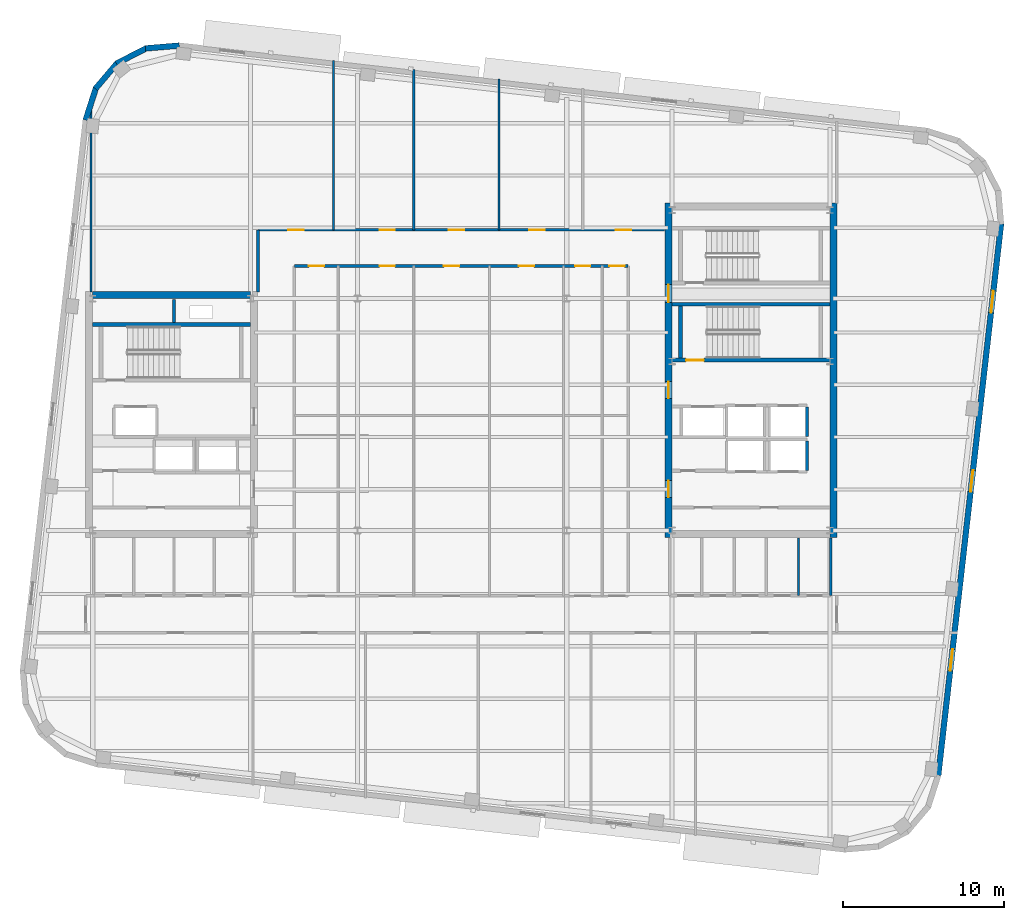
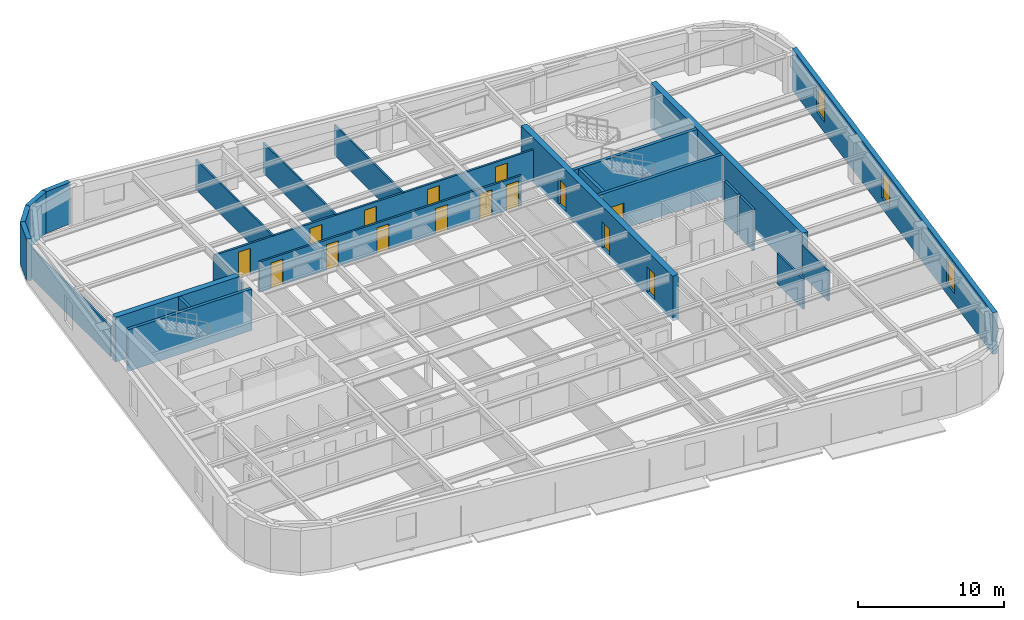
# One storey, part 8 of 13: 24 walls, 15 doors, 3 windows, 18 openings.
"""IFC4 building model written with IfcOpenShell, lengths in metres."""

import ifcopenshell
import ifcopenshell.guid

model = None  # the IFC model being written
_history = None  # IfcOwnerHistory: only IFC2X3 demands one
_inside = {}  # id of a spatial element -> (the spatial element, [elements in it])
_under = {}  # id of a project, library or spatial element -> (it, [spatial elements below it])
_declared = {}  # id of a project -> (the project, [libraries it declares])
_typed = {}  # id of a type object -> (the type object, [elements of that type])
_made_of = {}  # id of a material, layer set ... -> (it, [elements and type objects made of it])


def new_model(schema):
    """Start an empty IFC model of exactly this schema.

    Asked for "IFC4X3", IfcOpenShell would pick the latest addendum, in which some entities
    have other attributes; the version numbers below select the first issue.
    IFC2X3 requires an IfcOwnerHistory on every rooted entity: one is made here for all.
    """
    global model, _history
    if schema == "IFC4X3":
        model = ifcopenshell.file(schema_version=(4, 3, 0, 0))
    else:
        model = ifcopenshell.file(schema=schema)
    _inside.clear()
    _under.clear()
    _declared.clear()
    _typed.clear()
    _made_of.clear()
    _history = None
    if model.schema == "IFC2X3":
        org = make("IfcOrganization", Name="unknown")
        user = make(
            "IfcPersonAndOrganization",
            ThePerson=make("IfcPerson", FamilyName="unknown"),
            TheOrganization=org,
        )
        app = make(
            "IfcApplication",
            ApplicationDeveloper=org,
            Version="unknown",
            ApplicationFullName="unknown",
            ApplicationIdentifier="unknown",
        )
        _history = make(
            "IfcOwnerHistory",
            OwningUser=user,
            OwningApplication=app,
            ChangeAction="ADDED",
            CreationDate=0,
        )
    return model


def make(cls, **values):
    """One entity of the class cls with the attributes given. An attribute that is None is left unset."""
    return model.create_entity(
        cls, **{name: value for name, value in values.items() if value is not None}
    )


def rooted(cls, **values):
    """An entity with a GlobalId (a new one), such as an element, a storey or a relation."""
    return make(cls, GlobalId=ifcopenshell.guid.new(), OwnerHistory=_history, **values)


def si_unit(unit_type, name, prefix=None):
    """IfcSIUnit, for example si_unit("LENGTHUNIT", "METRE", prefix="MILLI")."""
    return make("IfcSIUnit", UnitType=unit_type, Prefix=prefix, Name=name)


def assignment(units):
    """IfcUnitAssignment: the units of a project."""
    return None if units is None else make("IfcUnitAssignment", Units=units)


def point(xyz):
    """IfcCartesianPoint."""
    return None if xyz is None else make("IfcCartesianPoint", Coordinates=xyz)


def direction(xyz):
    """IfcDirection."""
    return None if xyz is None else make("IfcDirection", DirectionRatios=xyz)


def frame(location, z_axis=None, x_axis=None):
    """IfcAxis2Placement3D, a coordinate frame: its origin and axes. An axis left out is left unset."""
    return make(
        "IfcAxis2Placement3D",
        Location=point(location),
        Axis=direction(z_axis),
        RefDirection=direction(x_axis),
    )


def frame_2d(location, x_axis=None):
    """IfcAxis2Placement2D, a coordinate frame in the plane: its origin and x axis."""
    return make(
        "IfcAxis2Placement2D", Location=point(location), RefDirection=direction(x_axis)
    )


def origin():
    """The frame at (0, 0, 0) with its axes left unset."""
    return frame((0.0, 0.0, 0.0))


def place(relative_to, where):
    """IfcLocalPlacement: puts the frame where relative to a parent placement (None: the world)."""
    return make(
        "IfcLocalPlacement", PlacementRelTo=relative_to, RelativePlacement=where
    )


def context(
    kind, dimensions, precision=None, world=None, true_north=None, identifier=None
):
    """IfcGeometricRepresentationContext, for example the 3D "Model" context."""
    return make(
        "IfcGeometricRepresentationContext",
        ContextIdentifier=identifier,
        ContextType=kind,
        CoordinateSpaceDimension=dimensions,
        Precision=precision,
        WorldCoordinateSystem=world,
        TrueNorth=true_north,
    )


def subcontext(parent, identifier, kind, view, scale=None):
    """IfcGeometricRepresentationSubContext, for example "Body" below "Model"."""
    return make(
        "IfcGeometricRepresentationSubContext",
        ContextIdentifier=identifier,
        ContextType=kind,
        ParentContext=parent,
        TargetScale=scale,
        TargetView=view,
    )


def project(units=None, contexts=None):
    """IfcProject with its units and contexts."""
    return rooted(
        "IfcProject",
        Name="project",
        RepresentationContexts=contexts,
        UnitsInContext=assignment(units),
    )


def spatial(cls, under=None, at=None, **own):
    """A site, building, storey or space (cls), placed at a placement, below another one or the project."""
    s = rooted(cls, ObjectPlacement=at, **own)
    if under is not None:
        _under.setdefault(under.id(), (under, []))[1].append(s)
    return s


def profile(cls, at=None, kind="AREA", **sizes):
    """A parametric profile (cls). Its sizes go by their IFC names, for example OverallWidth=200.0."""
    return make(cls, ProfileType=kind, Position=at, **sizes)


def rectangle(**sizes):
    """IfcRectangleProfileDef."""
    return profile("IfcRectangleProfileDef", **sizes)


def extrude(swept, where, along, depth):
    """IfcExtrudedAreaSolid: the profile swept, set in the frame where, extruded along a direction by depth."""
    return make(
        "IfcExtrudedAreaSolid",
        SweptArea=swept,
        Position=where,
        ExtrudedDirection=direction(along),
        Depth=depth,
    )


def shape(context_of_items, identifier, shape_type, items):
    """IfcShapeRepresentation: the items that make up one representation, for example the "Body"."""
    return make(
        "IfcShapeRepresentation",
        ContextOfItems=context_of_items,
        RepresentationIdentifier=identifier,
        RepresentationType=shape_type,
        Items=items,
    )


def material(Name=None, Category=None):
    """IfcMaterial."""
    return make("IfcMaterial", Name=Name, Category=Category)


def layer(
    of_material, thickness, ventilated=None, Name=None, Category=None, Priority=None
):
    """IfcMaterialLayer: one layer of a wall or slab, of a material (None: an air gap)."""
    return make(
        "IfcMaterialLayer",
        Material=of_material,
        LayerThickness=thickness,
        IsVentilated=ventilated,
        Name=Name,
        Category=Category,
        Priority=Priority,
    )


def layer_set(layers, Name=None):
    """IfcMaterialLayerSet."""
    return make("IfcMaterialLayerSet", MaterialLayers=layers, LayerSetName=Name)


def made_of(thing, what):
    """Note that an element or type object is made of a material, layer set ...; save() writes the relation."""
    if what is not None:
        _made_of.setdefault(what.id(), (what, []))[1].append(thing)
    return thing


def type_object(cls, material=None, **own):
    """A type object (cls), such as IfcWallType, which elements share."""
    return made_of(rooted(cls, **own), material)


def element(
    cls,
    number,
    at=None,
    inside=None,
    cuts=None,
    type_object=None,
    material=None,
    context=None,
    identifier="Body",
    shape_type=None,
    held_by="IfcProductDefinitionShape",
    body=None,
    shapes=None,
    **own,
):
    """One element of the class cls, such as IfcWall. Its Tag is "e" and its number.

    at: its placement. inside: the storey or other place that contains it. cuts: it is an
    opening in that element (IfcRelVoidsElement). A single representation is given by context,
    identifier, shape_type and body (its items); several are given by shapes. held_by: the class
    of the entity that holds the representations. save() writes the other relations.
    """
    e = rooted(cls, Tag="e%d" % number, ObjectPlacement=at, **own)
    if body is not None:
        shapes = [shape(context, identifier, shape_type, body)]
    if shapes is not None:
        e.Representation = make(held_by, Representations=shapes)
    if inside is not None:
        _inside.setdefault(inside.id(), (inside, []))[1].append(e)
    if cuts is not None:
        rooted(
            "IfcRelVoidsElement", RelatingBuildingElement=cuts, RelatedOpeningElement=e
        )
    if type_object is not None:
        _typed.setdefault(type_object.id(), (type_object, []))[1].append(e)
    return made_of(e, material)


def fill(opening, filler):
    """IfcRelFillsElement: the door or window that sits in an opening."""
    return rooted(
        "IfcRelFillsElement",
        RelatingOpeningElement=opening,
        RelatedBuildingElement=filler,
    )


def aggregate(whole, parts):
    """IfcRelAggregates: a whole, such as a stair, and the parts it consists of."""
    return rooted("IfcRelAggregates", RelatingObject=whole, RelatedObjects=parts)


def save(model, path):
    """Write the relations noted so far, then the file.

    IfcRelAggregates (storeys below a building ...), IfcRelContainedInSpatialStructure (elements
    in a storey), IfcRelDefinesByType, IfcRelAssociatesMaterial and IfcRelDeclares: one each for
    every whole, place, type object, material and project.
    """
    for whole, parts in _under.values():
        aggregate(whole, parts)
    for where, things in _inside.values():
        rooted(
            "IfcRelContainedInSpatialStructure",
            RelatedElements=things,
            RelatingStructure=where,
        )
    for kind, things in _typed.values():
        rooted("IfcRelDefinesByType", RelatedObjects=things, RelatingType=kind)
    for what, things in _made_of.values():
        rooted("IfcRelAssociatesMaterial", RelatedObjects=things, RelatingMaterial=what)
    for by, libraries in _declared.values():
        rooted("IfcRelDeclares", RelatingContext=by, RelatedDefinitions=libraries)
    model.write(path)


model = new_model("IFC4")

# Units and contexts
model_context = context("Model", 3, precision=1e-05, world=origin(), true_north=direction((0.0, 1.0)))
body_context = subcontext(model_context, "Body", "Model", "MODEL_VIEW")
ifc_project = project(units=[si_unit("LENGTHUNIT", "METRE"), si_unit("AREAUNIT", "SQUARE_METRE"), si_unit("VOLUMEUNIT", "CUBIC_METRE"), si_unit("PLANEANGLEUNIT", "RADIAN"), si_unit("MASSUNIT", "GRAM", prefix="KILO")], contexts=[model_context])

# Site, building, storey
site_placement = place(None, origin())
site = spatial("IfcSite", under=ifc_project, at=site_placement, CompositionType="ELEMENT")
building_placement = place(site_placement, origin())
building = spatial("IfcBuilding", under=site, at=building_placement, Name="Kolvaren Arena Tower", CompositionType="ELEMENT")
storey_placement = place(building_placement, frame((0.0, 0.0, 232.199951171875)))
storey = spatial("IfcBuildingStorey", under=building, at=storey_placement, Name="L56", CompositionType="ELEMENT", Elevation=232.199951171875)

# Wall
ifc_material_1 = material(Name="Gypsum board acoustic assembly", Category="gypsum")
ifc_layer_1 = layer(ifc_material_1, 0.159912109375)
ifc_layer_set_1 = layer_set([ifc_layer_1], Name="Gypsum board acoustic assembly")
wall_type_1 = type_object("IfcWallType", Name="CORR-160", PredefinedType="PARTITIONING", material=ifc_layer_set_1)
wall_1_placement = place(storey_placement, frame((24.820068359375, 34.25, 0.0), z_axis=(0.0, 0.0, 1.0), x_axis=(0.0, 1.0, 0.0)))
element("IfcWall", 1, at=wall_1_placement, inside=storey, type_object=wall_type_1, Name="Interior Partition Wall (L56)", PredefinedType="PARTITIONING", context=body_context, shape_type="SweptSolid", body=[
    extrude(rectangle(XDim=3.8701171875, YDim=0.159912109375, at=frame_2d((1.93505859375, 0.0))), origin(), (0.0, 0.0, 1.0), 2.5400390625),
])

# Wall, openings, doors
wall_2_placement = place(storey_placement, frame((24.820068359375, 38.1201171875, 0.0), z_axis=(0.0, 0.0, 1.0), x_axis=(1.0, 0.0, 0.0)))
wall_2 = element("IfcWall", 2, at=wall_2_placement, inside=storey, type_object=wall_type_1, Name="Interior Partition Wall (L56)", PredefinedType="PARTITIONING", context=body_context, shape_type="SweptSolid", body=[
    extrude(rectangle(XDim=25.260009765625, YDim=0.159912109375, at=frame_2d((12.6298828125, 0.0))), origin(), (0.0, 0.0, 1.0), 2.5400390625),
])
opening_1_placement = place(wall_2_placement, frame((1.8798828125, 0.0, 0.0)))
opening_1 = element("IfcOpeningElement", 3, at=opening_1_placement, cuts=wall_2, Name="Opening D05", PredefinedType="OPENING", context=body_context, shape_type="SweptSolid", body=[
    extrude(rectangle(XDim=0.949951171875, YDim=2.14990234375, at=frame_2d((0.47509765625, 1.074951171875))), frame((0.0, 0.08984375, 0.0), z_axis=(0.0, -1.0, 0.0), x_axis=(1.0, 0.0, 0.0)), (0.0, 0.0, 1.0), 0.179931640625),
])
opening_2_placement = place(wall_2_placement, frame((7.554931640625, 0.0, 0.0)))
opening_2 = element("IfcOpeningElement", 4, at=opening_2_placement, cuts=wall_2, Name="Opening D05", PredefinedType="OPENING", context=body_context, shape_type="SweptSolid", body=[
    extrude(rectangle(XDim=0.949951171875, YDim=2.14990234375, at=frame_2d((0.47509765625, 1.074951171875))), frame((0.0, 0.08984375, 0.0), z_axis=(0.0, -1.0, 0.0), x_axis=(1.0, 0.0, 0.0)), (0.0, 0.0, 1.0), 0.179931640625),
])
opening_3_placement = place(wall_2_placement, frame((11.85498046875, 0.0, 0.0)))
opening_3 = element("IfcOpeningElement", 5, at=opening_3_placement, cuts=wall_2, Name="Opening D05", PredefinedType="OPENING", context=body_context, shape_type="SweptSolid", body=[
    extrude(rectangle(XDim=0.949951171875, YDim=2.14990234375, at=frame_2d((0.47509765625, 1.074951171875))), frame((0.0, 0.08984375, 0.0), z_axis=(0.0, -1.0, 0.0), x_axis=(1.0, 0.0, 0.0)), (0.0, 0.0, 1.0), 0.179931640625),
])
opening_4_placement = place(wall_2_placement, frame((16.85498046875, 0.0, 0.0)))
opening_4 = element("IfcOpeningElement", 6, at=opening_4_placement, cuts=wall_2, Name="Opening D05", PredefinedType="OPENING", context=body_context, shape_type="SweptSolid", body=[
    extrude(rectangle(XDim=0.949951171875, YDim=2.14990234375, at=frame_2d((0.47509765625, 1.074951171875))), frame((0.0, 0.08984375, 0.0), z_axis=(0.0, -1.0, 0.0), x_axis=(1.0, 0.0, 0.0)), (0.0, 0.0, 1.0), 0.179931640625),
])
opening_5_placement = place(wall_2_placement, frame((22.22998046875, 0.0, 0.0)))
opening_5 = element("IfcOpeningElement", 7, at=opening_5_placement, cuts=wall_2, Name="Opening D05", PredefinedType="OPENING", context=body_context, shape_type="SweptSolid", body=[
    extrude(rectangle(XDim=0.949951171875, YDim=2.14990234375, at=frame_2d((0.47509765625, 1.074951171875))), frame((0.0, 0.08984375, 0.0), z_axis=(0.0, -1.0, 0.0), x_axis=(1.0, 0.0, 0.0)), (0.0, 0.0, 1.0), 0.179931640625),
])
ifc_material_2 = material(Name="Solid-core oak acoustic office door", Category="wood")
door_type_1 = type_object("IfcDoorType", Name="DOOR-OF-095", OperationType="NOTDEFINED", PredefinedType="DOOR", material=ifc_material_2)
door_1_placement = place(opening_1_placement, origin())
door_1 = element("IfcDoor", 8, at=door_1_placement, inside=storey, type_object=door_type_1, Name="Technical Engineering Office Door (L56)", OperationType="SINGLE_SWING_RIGHT", OverallHeight=2.14990234375, OverallWidth=0.949951171875, PredefinedType="DOOR", context=body_context, shape_type="SweptSolid", body=[
    extrude(rectangle(XDim=0.949951171875, YDim=2.14990234375, at=frame_2d((0.47509765625, 1.074951171875))), frame((0.0, 0.02490234375, 0.0), z_axis=(0.0, -1.0, 0.0), x_axis=(1.0, 0.0, 0.0)), (0.0, 0.0, 1.0), 0.050048828125),
])
fill(opening_1, door_1)
door_2_placement = place(opening_2_placement, origin())
door_2 = element("IfcDoor", 9, at=door_2_placement, inside=storey, type_object=door_type_1, Name="Open Plan Office Door (L56)", OperationType="SINGLE_SWING_LEFT", OverallHeight=2.14990234375, OverallWidth=0.949951171875, PredefinedType="DOOR", context=body_context, shape_type="SweptSolid", body=[
    extrude(rectangle(XDim=0.949951171875, YDim=2.14990234375, at=frame_2d((0.47509765625, 1.074951171875))), frame((0.0, 0.02490234375, 0.0), z_axis=(0.0, -1.0, 0.0), x_axis=(1.0, 0.0, 0.0)), (0.0, 0.0, 1.0), 0.050048828125),
])
fill(opening_2, door_2)
door_3_placement = place(opening_3_placement, origin())
door_3 = element("IfcDoor", 10, at=door_3_placement, inside=storey, type_object=door_type_1, Name="Training Seminar Room Door (L56)", OperationType="SINGLE_SWING_RIGHT", OverallHeight=2.14990234375, OverallWidth=0.949951171875, PredefinedType="DOOR", context=body_context, shape_type="SweptSolid", body=[
    extrude(rectangle(XDim=0.949951171875, YDim=2.14990234375, at=frame_2d((0.47509765625, 1.074951171875))), frame((0.0, 0.02490234375, 0.0), z_axis=(0.0, -1.0, 0.0), x_axis=(1.0, 0.0, 0.0)), (0.0, 0.0, 1.0), 0.050048828125),
])
fill(opening_3, door_3)
door_4_placement = place(opening_4_placement, origin())
door_4 = element("IfcDoor", 11, at=door_4_placement, inside=storey, type_object=door_type_1, Name="Executive Office Door (L56)", OperationType="SINGLE_SWING_LEFT", OverallHeight=2.14990234375, OverallWidth=0.949951171875, PredefinedType="DOOR", context=body_context, shape_type="SweptSolid", body=[
    extrude(rectangle(XDim=0.949951171875, YDim=2.14990234375, at=frame_2d((0.47509765625, 1.074951171875))), frame((0.0, 0.02490234375, 0.0), z_axis=(0.0, -1.0, 0.0), x_axis=(1.0, 0.0, 0.0)), (0.0, 0.0, 1.0), 0.050048828125),
])
fill(opening_4, door_4)
door_5_placement = place(opening_5_placement, origin())
door_5 = element("IfcDoor", 12, at=door_5_placement, inside=storey, type_object=door_type_1, Name="Boardroom Door (L56)", OperationType="SINGLE_SWING_RIGHT", OverallHeight=2.14990234375, OverallWidth=0.949951171875, PredefinedType="DOOR", context=body_context, shape_type="SweptSolid", body=[
    extrude(rectangle(XDim=0.949951171875, YDim=2.14990234375, at=frame_2d((0.47509765625, 1.074951171875))), frame((0.0, 0.02490234375, 0.0), z_axis=(0.0, -1.0, 0.0), x_axis=(1.0, 0.0, 0.0)), (0.0, 0.0, 1.0), 0.050048828125),
])
fill(opening_5, door_5)

wall_3_placement = place(storey_placement, frame((27.080078125, 35.8798828125, 0.0), z_axis=(0.0, 0.0, 1.0), x_axis=(1.0, 0.0, 0.0)))
wall_3 = element("IfcWall", 13, at=wall_3_placement, inside=storey, type_object=wall_type_1, Name="Interior Partition Wall (L56)", PredefinedType="PARTITIONING", context=body_context, shape_type="SweptSolid", body=[
    extrude(rectangle(XDim=20.739990234375, YDim=0.159912109375, at=frame_2d((10.3701171875, 0.0))), origin(), (0.0, 0.0, 1.0), 2.5400390625),
])
opening_6_placement = place(wall_3_placement, frame((0.89501953125, 0.0, 0.0)))
opening_6 = element("IfcOpeningElement", 14, at=opening_6_placement, cuts=wall_3, Name="Opening D05", PredefinedType="OPENING", context=body_context, shape_type="SweptSolid", body=[
    extrude(rectangle(XDim=0.949951171875, YDim=2.14990234375, at=frame_2d((0.47509765625, 1.074951171875))), frame((0.0, 0.08984375, 0.0), z_axis=(0.0, -1.0, 0.0), x_axis=(1.0, 0.0, 0.0)), (0.0, 0.0, 1.0), 0.179931640625),
])
opening_7_placement = place(wall_3_placement, frame((5.294921875, 0.0, 0.0)))
opening_7 = element("IfcOpeningElement", 15, at=opening_7_placement, cuts=wall_3, Name="Opening D05", PredefinedType="OPENING", context=body_context, shape_type="SweptSolid", body=[
    extrude(rectangle(XDim=0.949951171875, YDim=2.14990234375, at=frame_2d((0.47509765625, 1.074951171875))), frame((0.0, 0.08984375, 0.0), z_axis=(0.0, -1.0, 0.0), x_axis=(1.0, 0.0, 0.0)), (0.0, 0.0, 1.0), 0.179931640625),
])
opening_8_placement = place(wall_3_placement, frame((9.294921875, 0.0, 0.0)))
opening_8 = element("IfcOpeningElement", 16, at=opening_8_placement, cuts=wall_3, Name="Opening D05", PredefinedType="OPENING", context=body_context, shape_type="SweptSolid", body=[
    extrude(rectangle(XDim=0.949951171875, YDim=2.14990234375, at=frame_2d((0.47509765625, 1.074951171875))), frame((0.0, 0.08984375, 0.0), z_axis=(0.0, -1.0, 0.0), x_axis=(1.0, 0.0, 0.0)), (0.0, 0.0, 1.0), 0.179931640625),
])
opening_9_placement = place(wall_3_placement, frame((13.945068359375, 0.0, 0.0)))
opening_9 = element("IfcOpeningElement", 17, at=opening_9_placement, cuts=wall_3, Name="Opening D05", PredefinedType="OPENING", context=body_context, shape_type="SweptSolid", body=[
    extrude(rectangle(XDim=0.949951171875, YDim=2.14990234375, at=frame_2d((0.47509765625, 1.074951171875))), frame((0.0, 0.08984375, 0.0), z_axis=(0.0, -1.0, 0.0), x_axis=(1.0, 0.0, 0.0)), (0.0, 0.0, 1.0), 0.179931640625),
])
opening_10_placement = place(wall_3_placement, frame((17.445068359375, 0.0, 0.0)))
opening_10 = element("IfcOpeningElement", 18, at=opening_10_placement, cuts=wall_3, Name="Opening D05", PredefinedType="OPENING", context=body_context, shape_type="SweptSolid", body=[
    extrude(rectangle(XDim=0.949951171875, YDim=2.14990234375, at=frame_2d((0.47509765625, 1.074951171875))), frame((0.0, 0.08984375, 0.0), z_axis=(0.0, -1.0, 0.0), x_axis=(1.0, 0.0, 0.0)), (0.0, 0.0, 1.0), 0.179931640625),
])
opening_11_placement = place(wall_3_placement, frame((19.570068359375, 0.0, 0.0)))
opening_11 = element("IfcOpeningElement", 19, at=opening_11_placement, cuts=wall_3, Name="Opening D05", PredefinedType="OPENING", context=body_context, shape_type="SweptSolid", body=[
    extrude(rectangle(XDim=0.949951171875, YDim=2.14990234375, at=frame_2d((0.47509765625, 1.074951171875))), frame((0.0, 0.08984375, 0.0), z_axis=(0.0, -1.0, 0.0), x_axis=(1.0, 0.0, 0.0)), (0.0, 0.0, 1.0), 0.179931640625),
])
door_6_placement = place(opening_6_placement, origin())
door_6 = element("IfcDoor", 20, at=door_6_placement, inside=storey, type_object=door_type_1, Name="Breakout Pantry and Kitchen Door (L56)", OperationType="SINGLE_SWING_LEFT", OverallHeight=2.14990234375, OverallWidth=0.949951171875, PredefinedType="DOOR", context=body_context, shape_type="SweptSolid", body=[
    extrude(rectangle(XDim=0.949951171875, YDim=2.14990234375, at=frame_2d((0.47509765625, 1.074951171875))), frame((0.0, 0.02490234375, 0.0), z_axis=(0.0, -1.0, 0.0), x_axis=(1.0, 0.0, 0.0)), (0.0, 0.0, 1.0), 0.050048828125),
])
fill(opening_6, door_6)
door_7_placement = place(opening_7_placement, origin())
door_7 = element("IfcDoor", 21, at=door_7_placement, inside=storey, type_object=door_type_1, Name="Open Plan Office Door (L56)", OperationType="SINGLE_SWING_LEFT", OverallHeight=2.14990234375, OverallWidth=0.949951171875, PredefinedType="DOOR", context=body_context, shape_type="SweptSolid", body=[
    extrude(rectangle(XDim=0.949951171875, YDim=2.14990234375, at=frame_2d((0.47509765625, 1.074951171875))), frame((0.0, 0.02490234375, 0.0), z_axis=(0.0, -1.0, 0.0), x_axis=(1.0, 0.0, 0.0)), (0.0, 0.0, 1.0), 0.050048828125),
])
fill(opening_7, door_7)
door_8_placement = place(opening_8_placement, origin())
door_8 = element("IfcDoor", 22, at=door_8_placement, inside=storey, type_object=door_type_1, Name="Executive Office Door (L56)", OperationType="SINGLE_SWING_LEFT", OverallHeight=2.14990234375, OverallWidth=0.949951171875, PredefinedType="DOOR", context=body_context, shape_type="SweptSolid", body=[
    extrude(rectangle(XDim=0.949951171875, YDim=2.14990234375, at=frame_2d((0.47509765625, 1.074951171875))), frame((0.0, 0.02490234375, 0.0), z_axis=(0.0, -1.0, 0.0), x_axis=(1.0, 0.0, 0.0)), (0.0, 0.0, 1.0), 0.050048828125),
])
fill(opening_8, door_8)
door_9_placement = place(opening_9_placement, origin())
door_9 = element("IfcDoor", 23, at=door_9_placement, inside=storey, type_object=door_type_1, Name="Breakout Pantry and Kitchen Door (L56)", OperationType="SINGLE_SWING_LEFT", OverallHeight=2.14990234375, OverallWidth=0.949951171875, PredefinedType="DOOR", context=body_context, shape_type="SweptSolid", body=[
    extrude(rectangle(XDim=0.949951171875, YDim=2.14990234375, at=frame_2d((0.47509765625, 1.074951171875))), frame((0.0, 0.02490234375, 0.0), z_axis=(0.0, -1.0, 0.0), x_axis=(1.0, 0.0, 0.0)), (0.0, 0.0, 1.0), 0.050048828125),
])
fill(opening_9, door_9)
door_10_placement = place(opening_10_placement, origin())
door_10 = element("IfcDoor", 24, at=door_10_placement, inside=storey, type_object=door_type_1, Name="Open Plan Office Door (L56)", OperationType="SINGLE_SWING_LEFT", OverallHeight=2.14990234375, OverallWidth=0.949951171875, PredefinedType="DOOR", context=body_context, shape_type="SweptSolid", body=[
    extrude(rectangle(XDim=0.949951171875, YDim=2.14990234375, at=frame_2d((0.47509765625, 1.074951171875))), frame((0.0, 0.02490234375, 0.0), z_axis=(0.0, -1.0, 0.0), x_axis=(1.0, 0.0, 0.0)), (0.0, 0.0, 1.0), 0.050048828125),
])
fill(opening_10, door_10)
door_11_placement = place(opening_11_placement, origin())
door_11 = element("IfcDoor", 25, at=door_11_placement, inside=storey, type_object=door_type_1, Name="Executive Office Door (L56)", OperationType="SINGLE_SWING_LEFT", OverallHeight=2.14990234375, OverallWidth=0.949951171875, PredefinedType="DOOR", context=body_context, shape_type="SweptSolid", body=[
    extrude(rectangle(XDim=0.949951171875, YDim=2.14990234375, at=frame_2d((0.47509765625, 1.074951171875))), frame((0.0, 0.02490234375, 0.0), z_axis=(0.0, -1.0, 0.0), x_axis=(1.0, 0.0, 0.0)), (0.0, 0.0, 1.0), 0.050048828125),
])
fill(opening_11, door_11)

# Wall
ifc_material_3 = material(Name="Concrete 55 MPa", Category="concrete")
ifc_layer_2 = layer(ifc_material_3, 0.449951171875)
ifc_layer_set_2 = layer_set([ifc_layer_2], Name="Concrete 55 MPa")
wall_type_2 = type_object("IfcWallType", Name="CWALL-450", PredefinedType="SHEAR", material=ifc_layer_set_2)
wall_4_placement = place(storey_placement, frame((14.550048828125, 34.074951171875, -0.27001953125), z_axis=(0.0, 0.0, 1.0), x_axis=(1.0, 0.0, 0.0)))
element("IfcWall", 26, at=wall_4_placement, inside=storey, type_object=wall_type_2, Name="Core Shear Wall WC-NORTH (L56)", PredefinedType="SHEAR", context=body_context, shape_type="SweptSolid", body=[
    extrude(rectangle(XDim=9.800048828125, YDim=0.449951171875, at=frame_2d((4.89990234375, 0.0))), origin(), (0.0, 0.0, 1.0), 3.75),
])

# Wall, openings, doors
wall_5_placement = place(storey_placement, frame((50.324951171875, 19.0, -0.27001953125), z_axis=(0.0, 0.0, 1.0), x_axis=(0.0, 1.0, 0.0)))
wall_5 = element("IfcWall", 27, at=wall_5_placement, inside=storey, type_object=wall_type_2, Name="Core Shear Wall EC-WEST (L56)", PredefinedType="SHEAR", context=body_context, shape_type="SweptSolid", body=[
    extrude(rectangle(XDim=20.800048828125, YDim=0.449951171875, at=frame_2d((10.39990234375, 0.0))), origin(), (0.0, 0.0, 1.0), 3.75),
])
opening_12_placement = place(wall_5_placement, frame((2.5, 0.0, 0.27001953125)))
opening_12 = element("IfcOpeningElement", 28, at=opening_12_placement, cuts=wall_5, Name="Opening D04", PredefinedType="OPENING", context=body_context, shape_type="SweptSolid", body=[
    extrude(rectangle(XDim=1.050048828125, YDim=2.14990234375, at=frame_2d((0.52490234375, 1.074951171875))), frame((0.0, 0.23486328125, 0.0), z_axis=(0.0, -1.0, 0.0), x_axis=(1.0, 0.0, 0.0)), (0.0, 0.0, 1.0), 0.469970703125),
])
opening_13_placement = place(wall_5_placement, frame((8.64990234375, 0.0, 0.27001953125)))
opening_13 = element("IfcOpeningElement", 29, at=opening_13_placement, cuts=wall_5, Name="Opening D04", PredefinedType="OPENING", context=body_context, shape_type="SweptSolid", body=[
    extrude(rectangle(XDim=1.050048828125, YDim=2.14990234375, at=frame_2d((0.52490234375, 1.074951171875))), frame((0.0, 0.23486328125, 0.0), z_axis=(0.0, -1.0, 0.0), x_axis=(1.0, 0.0, 0.0)), (0.0, 0.0, 1.0), 0.469970703125),
])
opening_14_placement = place(wall_5_placement, frame((14.6201171875, 0.0, 0.27001953125)))
opening_14 = element("IfcOpeningElement", 30, at=opening_14_placement, cuts=wall_5, Name="Opening D03", PredefinedType="OPENING", context=body_context, shape_type="SweptSolid", body=[
    extrude(rectangle(XDim=1.10009765625, YDim=2.14990234375, at=frame_2d((0.550048828125, 1.074951171875))), frame((0.0, 0.23486328125, 0.0), z_axis=(0.0, -1.0, 0.0), x_axis=(1.0, 0.0, 0.0)), (0.0, 0.0, 1.0), 0.469970703125),
])
ifc_material_4 = material(Name="Fire-rated steel lobby door", Category="steel")
door_type_2 = type_object("IfcDoorType", Name="DOOR-FF-105", OperationType="NOTDEFINED", PredefinedType="DOOR", material=ifc_material_4)
door_12_placement = place(opening_12_placement, origin())
door_12 = element("IfcDoor", 31, at=door_12_placement, inside=storey, type_object=door_type_2, Name="East Lift Lobby Fire Door (L56)", OperationType="SINGLE_SWING_RIGHT", OverallHeight=2.14990234375, OverallWidth=1.050048828125, PredefinedType="DOOR", context=body_context, shape_type="SweptSolid", body=[
    extrude(rectangle(XDim=1.050048828125, YDim=2.14990234375, at=frame_2d((0.52490234375, 1.074951171875))), frame((0.0, 0.02490234375, 0.0), z_axis=(0.0, -1.0, 0.0), x_axis=(1.0, 0.0, 0.0)), (0.0, 0.0, 1.0), 0.050048828125),
])
fill(opening_12, door_12)
door_13_placement = place(opening_13_placement, origin())
door_13 = element("IfcDoor", 32, at=door_13_placement, inside=storey, type_object=door_type_2, Name="East Firefighter Vestibule Door (L56)", OperationType="SINGLE_SWING_LEFT", OverallHeight=2.14990234375, OverallWidth=1.050048828125, PredefinedType="DOOR", context=body_context, shape_type="SweptSolid", body=[
    extrude(rectangle(XDim=1.050048828125, YDim=2.14990234375, at=frame_2d((0.52490234375, 1.074951171875))), frame((0.0, 0.02490234375, 0.0), z_axis=(0.0, -1.0, 0.0), x_axis=(1.0, 0.0, 0.0)), (0.0, 0.0, 1.0), 0.050048828125),
])
fill(opening_13, door_13)
ifc_material_5 = material(Name="Fire-rated steel exit stair door", Category="steel")
door_type_3 = type_object("IfcDoorType", Name="DOOR-ST-110", OperationType="NOTDEFINED", PredefinedType="DOOR", material=ifc_material_5)
door_14_placement = place(opening_14_placement, origin())
door_14 = element("IfcDoor", 33, at=door_14_placement, inside=storey, type_object=door_type_3, Name="Stair ST-E2 Vestibule Fire Door (L56)", OperationType="SINGLE_SWING_LEFT", OverallHeight=2.14990234375, OverallWidth=1.10009765625, PredefinedType="DOOR", context=body_context, shape_type="SweptSolid", body=[
    extrude(rectangle(XDim=1.10009765625, YDim=2.14990234375, at=frame_2d((0.550048828125, 1.074951171875))), frame((0.0, 0.02490234375, 0.0), z_axis=(0.0, -1.0, 0.0), x_axis=(1.0, 0.0, 0.0)), (0.0, 0.0, 1.0), 0.050048828125),
])
fill(opening_14, door_14)

# Wall
wall_6_placement = place(storey_placement, frame((60.574951171875, 19.0, -0.27001953125), z_axis=(0.0, 0.0, 1.0), x_axis=(0.0, 1.0, 0.0)))
element("IfcWall", 34, at=wall_6_placement, inside=storey, type_object=wall_type_2, Name="Core Shear Wall EC-EAST (L56)", PredefinedType="SHEAR", context=body_context, shape_type="SweptSolid", body=[
    extrude(rectangle(XDim=20.800048828125, YDim=0.449951171875, at=frame_2d((10.39990234375, 0.0))), origin(), (0.0, 0.0, 1.0), 3.75),
])

# Wall, openings, windows
ifc_material_6 = material(Name="Precast concrete C50/60", Category="concrete")
ifc_layer_3 = layer(ifc_material_6, 0.360107421875)
ifc_layer_set_3 = layer_set([ifc_layer_3], Name="Precast concrete C50/60")
wall_type_3 = type_object("IfcWallType", Name="EXT-PIER2", PredefinedType="SOLIDWALL", material=ifc_layer_set_3)
wall_7_placement = place(storey_placement, frame((70.98876953125, 38.499267578125, 0.0), z_axis=(0.0, 0.0, 1.0), x_axis=(-0.113203107947, -0.993571867733, 0.0)))
wall_7 = element("IfcWall", 35, at=wall_7_placement, inside=storey, type_object=wall_type_3, Name="Exterior Precast Masonry-Frame Wall (L56)", PredefinedType="SOLIDWALL", context=body_context, shape_type="SweptSolid", body=[
    extrude(rectangle(XDim=34.5, YDim=0.360107421875, at=frame_2d((17.25, 0.0))), origin(), (0.0, 0.0, 1.0), 3.47998046875),
])
opening_15_placement = place(wall_7_placement, frame((4.199951171875, 0.0, 0.8798828125)))
opening_15 = element("IfcOpeningElement", 36, at=opening_15_placement, cuts=wall_7, Name="Opening W04", PredefinedType="OPENING", context=body_context, shape_type="SweptSolid", body=[
    extrude(rectangle(XDim=1.35009765625, YDim=2.199951171875, at=frame_2d((0.675048828125, 1.10009765625))), frame((0.0, 0.18994140625, 0.0), z_axis=(0.0, -1.0, 0.0), x_axis=(1.0, 0.0, 0.0)), (0.0, 0.0, 1.0), 0.380126953125),
])
opening_16_placement = place(wall_7_placement, frame((15.39990234375, 0.0, 0.8798828125)))
opening_16 = element("IfcOpeningElement", 37, at=opening_16_placement, cuts=wall_7, Name="Opening W04", PredefinedType="OPENING", context=body_context, shape_type="SweptSolid", body=[
    extrude(rectangle(XDim=1.35009765625, YDim=2.199951171875, at=frame_2d((0.675048828125, 1.10009765625))), frame((0.0, 0.18994140625, 0.0), z_axis=(0.0, -1.0, 0.0), x_axis=(1.0, 0.0, 0.0)), (0.0, 0.0, 1.0), 0.380126953125),
])
opening_17_placement = place(wall_7_placement, frame((26.60009765625, 0.0, 0.8798828125)))
opening_17 = element("IfcOpeningElement", 38, at=opening_17_placement, cuts=wall_7, Name="Opening W04", PredefinedType="OPENING", context=body_context, shape_type="SweptSolid", body=[
    extrude(rectangle(XDim=1.35009765625, YDim=2.199951171875, at=frame_2d((0.675048828125, 1.10009765625))), frame((0.0, 0.18994140625, 0.0), z_axis=(0.0, -1.0, 0.0), x_axis=(1.0, 0.0, 0.0)), (0.0, 0.0, 1.0), 0.380126953125),
])
ifc_material_7 = material(Name="Triple-glazed curved-facet corner window", Category="glass")
window_type = type_object("IfcWindowType", Name="WIN-CRN-A", PartitioningType="SINGLE_PANEL", PredefinedType="WINDOW", material=ifc_material_7)
window_1_placement = place(opening_15_placement, origin())
window_1 = element("IfcWindow", 39, at=window_1_placement, inside=storey, type_object=window_type, Name="End-Wall Punched Window (L56)", OverallHeight=2.199951171875, OverallWidth=1.35009765625, PartitioningType="SINGLE_PANEL", PredefinedType="WINDOW", context=body_context, shape_type="SweptSolid", body=[
    extrude(rectangle(XDim=1.35009765625, YDim=2.199951171875, at=frame_2d((0.675048828125, 1.10009765625))), frame((0.0, 0.030029296875, 0.0), z_axis=(0.0, -1.0, 0.0), x_axis=(1.0, 0.0, 0.0)), (0.0, 0.0, 1.0), 0.06005859375),
])
fill(opening_15, window_1)
window_2_placement = place(opening_16_placement, origin())
window_2 = element("IfcWindow", 40, at=window_2_placement, inside=storey, type_object=window_type, Name="End-Wall Punched Window (L56)", OverallHeight=2.199951171875, OverallWidth=1.35009765625, PartitioningType="SINGLE_PANEL", PredefinedType="WINDOW", context=body_context, shape_type="SweptSolid", body=[
    extrude(rectangle(XDim=1.35009765625, YDim=2.199951171875, at=frame_2d((0.675048828125, 1.10009765625))), frame((0.0, 0.030029296875, 0.0), z_axis=(0.0, -1.0, 0.0), x_axis=(1.0, 0.0, 0.0)), (0.0, 0.0, 1.0), 0.06005859375),
])
fill(opening_16, window_2)
window_3_placement = place(opening_17_placement, origin())
window_3 = element("IfcWindow", 41, at=window_3_placement, inside=storey, type_object=window_type, Name="End-Wall Punched Window (L56)", OverallHeight=2.199951171875, OverallWidth=1.35009765625, PartitioningType="SINGLE_PANEL", PredefinedType="WINDOW", context=body_context, shape_type="SweptSolid", body=[
    extrude(rectangle(XDim=1.35009765625, YDim=2.199951171875, at=frame_2d((0.675048828125, 1.10009765625))), frame((0.0, 0.030029296875, 0.0), z_axis=(0.0, -1.0, 0.0), x_axis=(1.0, 0.0, 0.0)), (0.0, 0.0, 1.0), 0.06005859375),
])
fill(opening_17, window_3)

# Walls
for number, where, z_axis, x_axis, name in (
    (42, (17.82958984375, 49.3994140625, 0.0), (0.0, 0.0, 1.0), (0.996562518477, 0.082844111233, 0.0), "Exterior Precast Masonry-Frame Wall (L56)"),
    (43, (16.02392578125, 48.4541015625, 0.0), (0.0, 0.0, 1.0), (0.889010287693, 0.457887222333, 0.0), "Exterior Precast Masonry-Frame Wall (L56)"),
    (44, (14.717529296875, 46.8896484375, 0.0), (0.0, 0.0, 1.0), (0.646170743289, 0.763192878975, 0.0), "Exterior Precast Masonry-Frame Wall (L56)"),
):
    element("IfcWall", number, at=place(storey_placement, frame(where, z_axis=z_axis, x_axis=x_axis)), inside=storey, type_object=wall_type_3, Name=name, PredefinedType="SOLIDWALL", context=body_context, shape_type="SweptSolid", body=[
        extrude(rectangle(XDim=2.107177734375, YDim=0.360107421875, at=frame_2d((1.0537109375, 0.0))), origin(), (0.0, 0.0, 1.0), 3.47998046875),
    ])
wall_8_placement = place(storey_placement, frame((14.109375, 44.944580078125, 0.0), z_axis=(0.0, 0.0, 1.0), x_axis=(0.304872429864, 0.952393196904, 0.0)))
element("IfcWall", 45, at=wall_8_placement, inside=storey, type_object=wall_type_3, Name="Exterior Precast Masonry-Frame Wall (L56)", PredefinedType="SOLIDWALL", context=body_context, shape_type="SweptSolid", body=[
    extrude(rectangle(XDim=2.10693359375, YDim=0.360107421875, at=frame_2d((1.053466796875, 0.0))), origin(), (0.0, 0.0, 1.0), 3.47998046875),
])
ifc_material_8 = material(Name="Gypsum board partition assembly", Category="gypsum")
ifc_layer_4 = layer(ifc_material_8, 0.135009765625)
ifc_layer_set_4 = layer_set([ifc_layer_4], Name="Gypsum board partition assembly")
wall_type_4 = type_object("IfcWallType", Name="PART-135", PredefinedType="PARTITIONING", material=ifc_layer_set_4)
wall_9_placement = place(storey_placement, frame((29.5, 38.1201171875, 0.0), z_axis=(0.0, 0.0, 1.0), x_axis=(0.0, 1.0, 0.0)))
element("IfcWall", 46, at=wall_9_placement, inside=storey, type_object=wall_type_4, Name="Interior Partition Wall (L56)", PredefinedType="PARTITIONING", context=body_context, shape_type="SweptSolid", body=[
    extrude(rectangle(XDim=10.541259765625, YDim=0.135009765625, at=frame_2d((5.2705078125, 0.0))), origin(), (0.0, 0.0, 1.0), 2.5400390625),
])
wall_10_placement = place(storey_placement, frame((34.5, 38.1201171875, 0.0), z_axis=(0.0, 0.0, 1.0), x_axis=(0.0, 1.0, 0.0)))
element("IfcWall", 47, at=wall_10_placement, inside=storey, type_object=wall_type_4, Name="Interior Partition Wall (L56)", PredefinedType="PARTITIONING", context=body_context, shape_type="SweptSolid", body=[
    extrude(rectangle(XDim=9.971435546875, YDim=0.135009765625, at=frame_2d((4.98583984375, 0.0))), origin(), (0.0, 0.0, 1.0), 2.5400390625),
])
wall_11_placement = place(storey_placement, frame((39.800048828125, 38.1201171875, 0.0), z_axis=(0.0, 0.0, 1.0), x_axis=(0.0, 1.0, 0.0)))
element("IfcWall", 48, at=wall_11_placement, inside=storey, type_object=wall_type_4, Name="Interior Partition Wall (L56)", PredefinedType="PARTITIONING", context=body_context, shape_type="SweptSolid", body=[
    extrude(rectangle(XDim=9.36767578125, YDim=0.135009765625, at=frame_2d((4.683837890625, 0.0))), origin(), (0.0, 0.0, 1.0), 2.5400390625),
])
wall_12_placement = place(storey_placement, frame((14.449951171875, 34.25, 0.0), z_axis=(0.0, 0.0, 1.0), x_axis=(0.0, 1.0, 0.0)))
element("IfcWall", 49, at=wall_12_placement, inside=storey, type_object=wall_type_4, Name="Interior Partition Wall (L56)", PredefinedType="PARTITIONING", context=body_context, shape_type="SweptSolid", body=[
    extrude(rectangle(XDim=11.56201171875, YDim=0.135009765625, at=frame_2d((5.781005859375, 0.0))), origin(), (0.0, 0.0, 1.0), 2.5400390625),
])
ifc_material_9 = material(Name="Concrete 45 MPa", Category="concrete")
ifc_layer_5 = layer(ifc_material_9, 0.25)
ifc_layer_set_5 = layer_set([ifc_layer_5], Name="Concrete 45 MPa")
wall_type_5 = type_object("IfcWallType", Name="SHAFT-250", PredefinedType="SOLIDWALL", material=ifc_layer_set_5)
wall_13_placement = place(storey_placement, frame((14.550048828125, 32.25, 0.0), z_axis=(0.0, 0.0, 1.0), x_axis=(1.0, 0.0, 0.0)))
element("IfcWall", 50, at=wall_13_placement, inside=storey, type_object=wall_type_5, Name="Core Shaft Wall (L56)", PredefinedType="SOLIDWALL", context=body_context, shape_type="SweptSolid", body=[
    extrude(rectangle(XDim=9.800048828125, YDim=0.239990234375, at=frame_2d((4.89990234375, 0.0))), origin(), (0.0, 0.0, 1.0), 3.47998046875),
])

# Wall, opening, door
wall_14_placement = place(storey_placement, frame((60.35009765625, 30.030029296875, 0.0), z_axis=(0.0, 0.0, 1.0), x_axis=(-1.0, 0.0, 0.0)))
wall_14 = element("IfcWall", 51, at=wall_14_placement, inside=storey, type_object=wall_type_5, Name="Core Shaft Wall (L56)", PredefinedType="SOLIDWALL", context=body_context, shape_type="SweptSolid", body=[
    extrude(rectangle(XDim=9.800048828125, YDim=0.239990234375, at=frame_2d((4.89990234375, 0.0))), origin(), (0.0, 0.0, 1.0), 3.47998046875),
])
opening_18_placement = place(wall_14_placement, frame((7.830078125, 0.0, 0.0)))
opening_18 = element("IfcOpeningElement", 52, at=opening_18_placement, cuts=wall_14, Name="Opening D03", PredefinedType="OPENING", context=body_context, shape_type="SweptSolid", body=[
    extrude(rectangle(XDim=1.10009765625, YDim=2.14990234375, at=frame_2d((0.550048828125, 1.074951171875))), frame((0.0, 0.1298828125, 0.0), z_axis=(0.0, -1.0, 0.0), x_axis=(1.0, 0.0, 0.0)), (0.0, 0.0, 1.0), 0.260009765625),
])
door_15_placement = place(opening_18_placement, origin())
door_15 = element("IfcDoor", 53, at=door_15_placement, inside=storey, type_object=door_type_3, Name="Stair ST-E1 Fire Door (L56)", OperationType="SINGLE_SWING_LEFT", OverallHeight=2.14990234375, OverallWidth=1.10009765625, PredefinedType="DOOR", context=body_context, shape_type="SweptSolid", body=[
    extrude(rectangle(XDim=1.10009765625, YDim=2.14990234375, at=frame_2d((0.550048828125, 1.074951171875))), frame((0.0, 0.02490234375, 0.0), z_axis=(0.0, -1.0, 0.0), x_axis=(1.0, 0.0, 0.0)), (0.0, 0.0, 1.0), 0.050048828125),
])
fill(opening_18, door_15)

# Walls
wall_15_placement = place(storey_placement, frame((50.550048828125, 33.5, 0.0), z_axis=(0.0, 0.0, 1.0), x_axis=(1.0, 0.0, 0.0)))
element("IfcWall", 54, at=wall_15_placement, inside=storey, type_object=wall_type_5, Name="Core Shaft Wall (L56)", PredefinedType="SOLIDWALL", context=body_context, shape_type="SweptSolid", body=[
    extrude(rectangle(XDim=9.800048828125, YDim=0.239990234375, at=frame_2d((4.89990234375, 0.0))), origin(), (0.0, 0.0, 1.0), 3.47998046875),
])
wall_16_placement = place(storey_placement, frame((51.06005859375, 30.14990234375, 0.0), z_axis=(0.0, 0.0, 1.0), x_axis=(0.0, 1.0, 0.0)))
element("IfcWall", 55, at=wall_16_placement, inside=storey, type_object=wall_type_5, Name="Core Shaft Wall (L56)", PredefinedType="SOLIDWALL", context=body_context, shape_type="SweptSolid", body=[
    extrude(rectangle(XDim=3.22998046875, YDim=0.239990234375, at=frame_2d((1.614990234375, 0.0))), origin(), (0.0, 0.0, 1.0), 3.47998046875),
])
wall_17_placement = place(storey_placement, frame((19.60009765625, 32.3701171875, 0.0), z_axis=(0.0, 0.0, 1.0), x_axis=(0.0, 1.0, 0.0)))
element("IfcWall", 56, at=wall_17_placement, inside=storey, type_object=wall_type_5, Name="Core Shaft Wall (L56)", PredefinedType="SOLIDWALL", context=body_context, shape_type="SweptSolid", body=[
    extrude(rectangle(XDim=1.429931640625, YDim=0.199951171875, at=frame_2d((0.71484375, 0.0))), origin(), (0.0, 0.0, 1.0), 3.47998046875),
])
wall_18_placement = place(storey_placement, frame((58.93994140625, 23.18505859375, 0.0), z_axis=(0.0, 0.0, 1.0), x_axis=(0.0, 1.0, 0.0)))
element("IfcWall", 57, at=wall_18_placement, inside=storey, type_object=wall_type_5, Name="Core Shaft Wall (L56)", PredefinedType="SOLIDWALL", context=body_context, shape_type="SweptSolid", body=[
    extrude(rectangle(XDim=1.829833984375, YDim=0.179931640625, at=frame_2d((0.9150390625, 0.0))), origin(), (0.0, 0.0, 1.0), 3.47998046875),
])
wall_19_placement = place(storey_placement, frame((58.93994140625, 25.284912109375, 0.0), z_axis=(0.0, 0.0, 1.0), x_axis=(0.0, 1.0, 0.0)))
element("IfcWall", 58, at=wall_19_placement, inside=storey, type_object=wall_type_5, Name="Core Shaft Wall (L56)", PredefinedType="SOLIDWALL", context=body_context, shape_type="SweptSolid", body=[
    extrude(rectangle(XDim=1.830078125, YDim=0.179931640625, at=frame_2d((0.9150390625, 0.0))), origin(), (0.0, 0.0, 1.0), 3.47998046875),
])
ifc_material_10 = material(Name="Moisture-resistant gypsum assembly", Category="gypsum")
ifc_layer_6 = layer(ifc_material_10, 0.14990234375)
ifc_layer_set_6 = layer_set([ifc_layer_6], Name="Moisture-resistant gypsum assembly")
wall_type_6 = type_object("IfcWallType", Name="WETW-150", PredefinedType="PARTITIONING", material=ifc_layer_set_6)
for number, where, z_axis, x_axis, name in (
    (59, (58.39990234375, 15.39990234375, 0.0), (0.0, 0.0, 1.0), (0.0, 1.0, 0.0), "Interior Partition Wall (L56)"),
    (60, (60.39990234375, 15.39990234375, 0.0), (0.0, 0.0, 1.0), (0.0, 1.0, 0.0), "Interior Partition Wall (L56)"),
):
    element("IfcWall", number, at=place(storey_placement, frame(where, z_axis=z_axis, x_axis=x_axis)), inside=storey, type_object=wall_type_6, Name=name, PredefinedType="PARTITIONING", context=body_context, shape_type="SweptSolid", body=[
        extrude(rectangle(XDim=3.580078125, YDim=0.14990234375, at=frame_2d((1.7900390625, 0.0))), origin(), (0.0, 0.0, 1.0), 2.5400390625),
    ])

save(model, "model.ifc")
